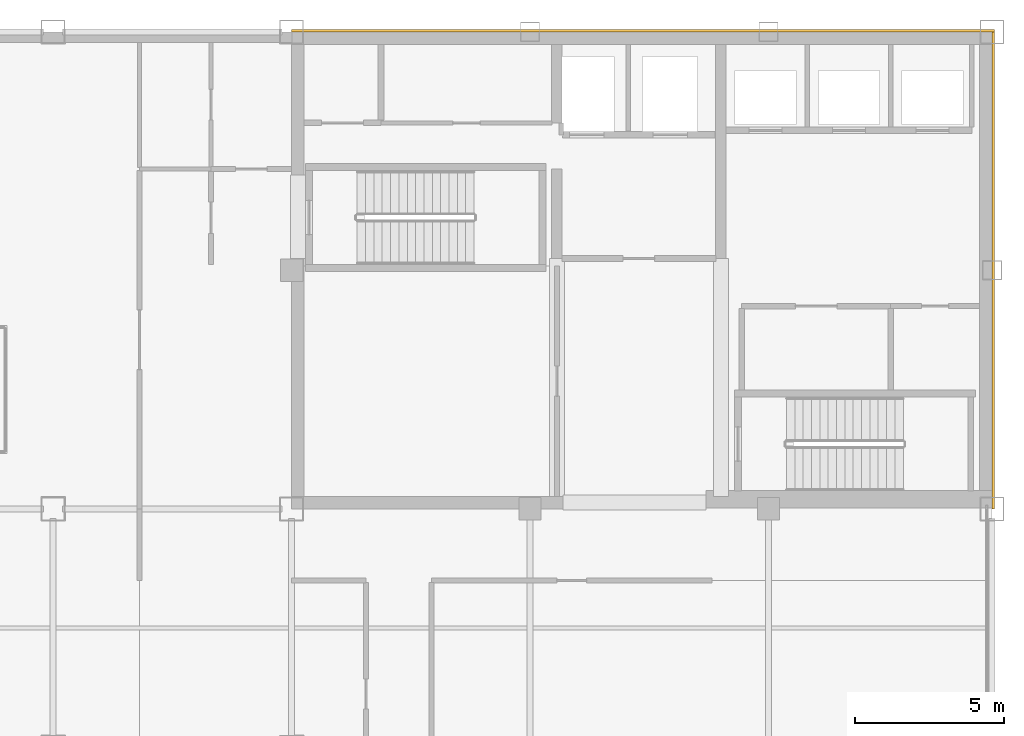
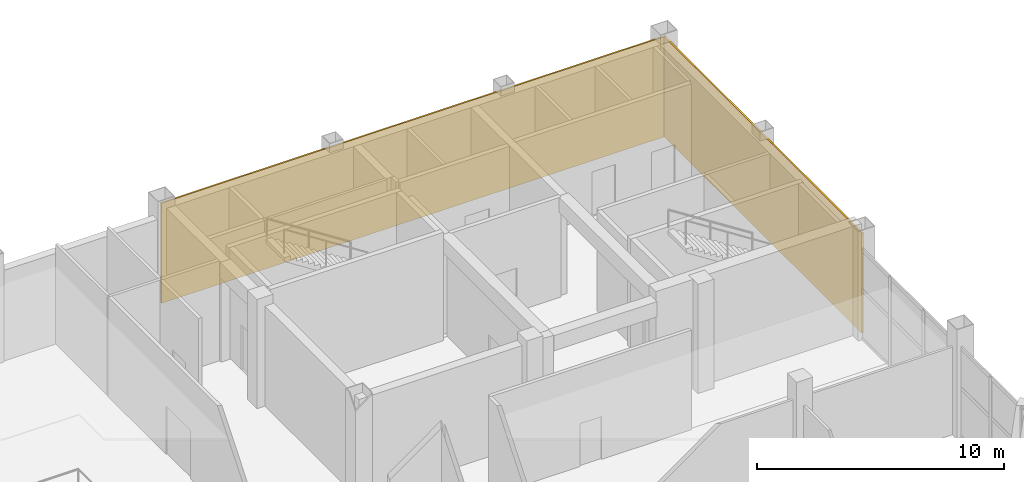
# One storey, part 16 of 16: 2 coverings.
"""IFC4 building model written with IfcOpenShell, lengths in metres."""

from ifc_helpers import new_model, si_unit, direction, frame, origin, origin_2d, place, context, subcontext, project, spatial, rectangle, extrude, material, layer, layer_set, type_object, element, save


model = new_model("IFC4")

# Units and contexts
model_context = context("Model", 3, precision=1e-05, world=origin(), true_north=direction((0.0, 1.0)))
body_context = subcontext(model_context, "Body", "Model", "MODEL_VIEW")
ifc_project = project(units=[si_unit("LENGTHUNIT", "METRE"), si_unit("AREAUNIT", "SQUARE_METRE"), si_unit("VOLUMEUNIT", "CUBIC_METRE"), si_unit("PLANEANGLEUNIT", "RADIAN"), si_unit("MASSUNIT", "GRAM", prefix="KILO")], contexts=[model_context])

# Site, building, storey
site_placement = place(None, origin())
site = spatial("IfcSite", under=ifc_project, at=site_placement, CompositionType="ELEMENT")
building_placement = place(site_placement, origin())
building = spatial("IfcBuilding", under=site, at=building_placement, Name="Qianrong Seaharbour Tower", CompositionType="ELEMENT")
storey_placement = place(building_placement, frame((0.0, 0.0, 378.39990234375)))
storey = spatial("IfcBuildingStorey", under=building, at=storey_placement, Name="L91", CompositionType="ELEMENT", Elevation=378.39990234375)

# Coverings
ifc_material = material(Name="Unitised red brick cladding on Precast concrete C45/55", Category="masonry")
ifc_layer = layer(ifc_material, 0.080078125)
ifc_layer_set = layer_set([ifc_layer], Name="Unitised red brick cladding on Precast concrete C45/55")
covering_type = type_object("IfcCoveringType", Name="COV-CLAD-RED-BRICK-80", PredefinedType="CLADDING", material=ifc_layer_set)
covering_1_placement = place(storey_placement, frame((52.2900390625, 52.0400390625, 0.0), z_axis=(0.0, 0.0, 1.0), x_axis=(1.0, 0.0, 0.0)))
element("IfcCovering", 1, at=covering_1_placement, inside=storey, type_object=covering_type, Name="L91 North Core Brick Veneer Cladding", PredefinedType="CLADDING", context=body_context, shape_type="SweptSolid", body=[
    extrude(rectangle(XDim=23.580078125, YDim=0.080078125, at=origin_2d()), origin(), (0.0, 0.0, 1.0), 4.949951171875),
])
covering_2_placement = place(storey_placement, frame((64.0400390625, 44.0, 0.0), z_axis=(0.0, 0.0, 1.0), x_axis=(1.0, 0.0, 0.0)))
element("IfcCovering", 2, at=covering_2_placement, inside=storey, type_object=covering_type, Name="L91 East Core Brick Veneer Cladding", PredefinedType="CLADDING", context=body_context, shape_type="SweptSolid", body=[
    extrude(rectangle(XDim=0.080078125, YDim=16.0, at=origin_2d()), origin(), (0.0, 0.0, 1.0), 4.949951171875),
])

save(model, "model.ifc")
